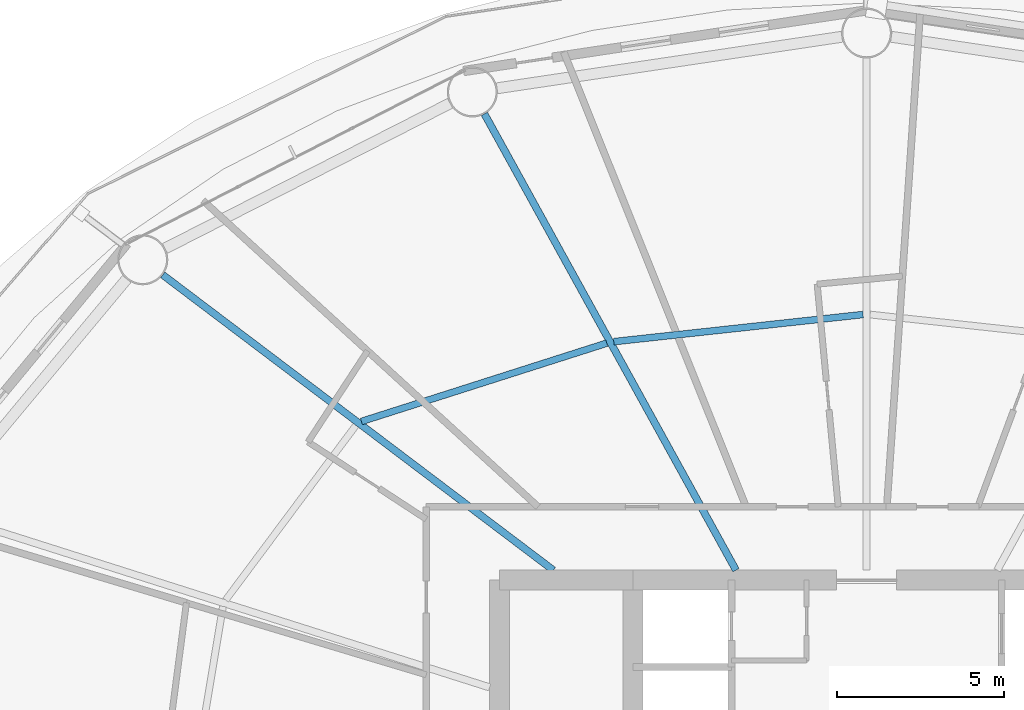
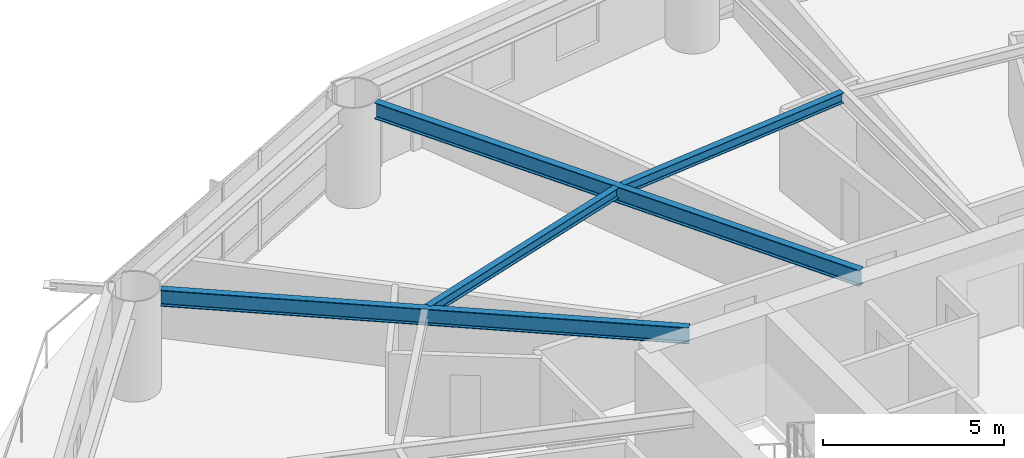
# One storey, part 11 of 26: 4 beams.
"""IFC4 building model written with IfcOpenShell, lengths in metres."""

from ifc_helpers import new_model, si_unit, direction, frame, origin, origin_2d, place, context, subcontext, project, spatial, i_section, extrude, material, material_profile, profile_set, type_object, element, save


model = new_model("IFC4")

# Units and contexts
model_context = context("Model", 3, precision=1e-05, world=origin(), true_north=direction((0.0, 1.0)))
body_context = subcontext(model_context, "Body", "Model", "MODEL_VIEW")
ifc_project = project(units=[si_unit("LENGTHUNIT", "METRE"), si_unit("AREAUNIT", "SQUARE_METRE"), si_unit("VOLUMEUNIT", "CUBIC_METRE"), si_unit("PLANEANGLEUNIT", "RADIAN"), si_unit("MASSUNIT", "GRAM", prefix="KILO")], contexts=[model_context])

# Site, building, storey
site_placement = place(None, origin())
site = spatial("IfcSite", under=ifc_project, at=site_placement, CompositionType="ELEMENT")
building_placement = place(site_placement, origin())
building = spatial("IfcBuilding", under=site, at=building_placement, Name="Sarneth Arch Tower", CompositionType="ELEMENT")
storey_placement = place(building_placement, frame((0.0, 0.0, 64.199951171875)))
storey = spatial("IfcBuildingStorey", under=building, at=storey_placement, Name="L15", CompositionType="ELEMENT", Elevation=64.199951171875)

# Beams
ifc_material_1 = material(Name="Steel S355", Category="steel")
ifc_material_profile_1 = material_profile(ifc_material_1, i_section(OverallWidth=0.202880859375, OverallDepth=0.346923828125, WebThickness=0.0078125, FlangeThickness=0.013427734375, FilletRadius=0.014892578125, at=origin_2d()), Name="W360x64")
ifc_profile_set_1 = profile_set([ifc_material_profile_1], Name="Steel S355")
beam_type_1 = type_object("IfcBeamType", Name="BM-JOIST-360C", PredefinedType="JOIST", material=ifc_profile_set_1)
beam_1_placement = place(storey_placement, frame((47.8935546875, 56.763427734375, 3.20654296875), z_axis=(-0.994129966112, -0.108192469602, 0.0), x_axis=(0.108192469602, -0.994129966112, 0.0)))
element("IfcBeam", 1, at=beam_1_placement, inside=storey, type_object=beam_type_1, Name="L15 Secondary floor joist 05", PredefinedType="JOIST", context=body_context, shape_type="SweptSolid", body=[
    extrude(i_section(OverallWidth=0.202880859375, OverallDepth=0.346923828125, WebThickness=0.0078125, FlangeThickness=0.013427734375, FilletRadius=0.014892578125, at=origin_2d()), origin(), (0.0, 0.0, 1.0), 7.5166015625),
])
beam_2_placement = place(storey_placement, frame((40.212890625, 55.906005859375, 3.20654296875), z_axis=(-0.95266836992, -0.304011475036, 0.0), x_axis=(0.304011475036, -0.95266836992, 0.0)))
element("IfcBeam", 2, at=beam_2_placement, inside=storey, type_object=beam_type_1, Name="L15 Secondary floor joist 06", PredefinedType="JOIST", context=body_context, shape_type="SweptSolid", body=[
    extrude(i_section(OverallWidth=0.202880859375, OverallDepth=0.346923828125, WebThickness=0.0078125, FlangeThickness=0.013427734375, FilletRadius=0.014892578125, at=origin_2d()), origin(), (0.0, 0.0, 1.0), 7.720703125),
])
ifc_material_2 = material(Name="Steel S355", Category="steel")
ifc_material_profile_2 = material_profile(ifc_material_2, i_section(OverallWidth=0.214111328125, OverallDepth=0.549072265625, WebThickness=0.0146484375, FlangeThickness=0.023681640625, FilletRadius=0.01806640625, at=origin_2d()), Name="W530x138")
ifc_profile_set_2 = profile_set([ifc_material_profile_2], Name="Steel S355")
beam_type_2 = type_object("IfcBeamType", Name="BM-RAD-530A", PredefinedType="BEAM", material=ifc_profile_set_2)
beam_3_placement = place(storey_placement, frame((44.08544921875, 49.10009765625, 3.10546875), z_axis=(-0.482841370957, 0.875707833979, 0.0), x_axis=(-0.875707833979, -0.482841370957, 0.0)))
element("IfcBeam", 3, at=beam_3_placement, inside=storey, type_object=beam_type_2, Name="L15 Radial floor girder 06", PredefinedType="BEAM", context=body_context, shape_type="SweptSolid", body=[
    extrude(i_section(OverallWidth=0.214111328125, OverallDepth=0.549072265625, WebThickness=0.0146484375, FlangeThickness=0.023681640625, FilletRadius=0.01806640625, at=origin_2d()), origin(), (0.0, 0.0, 1.0), 15.618408203125),
])
beam_4_placement = place(storey_placement, frame((38.609619140625, 49.10009765625, 3.10546875), z_axis=(-0.79765464731, 0.603114469753, 0.0), x_axis=(-0.603114469753, -0.79765464731, 0.0)))
element("IfcBeam", 4, at=beam_4_placement, inside=storey, type_object=beam_type_2, Name="L15 Radial floor girder 07", PredefinedType="BEAM", context=body_context, shape_type="SweptSolid", body=[
    extrude(i_section(OverallWidth=0.214111328125, OverallDepth=0.549072265625, WebThickness=0.0146484375, FlangeThickness=0.023681640625, FilletRadius=0.01806640625, at=origin_2d()), origin(), (0.0, 0.0, 1.0), 14.677978515625),
])

save(model, "model.ifc")
